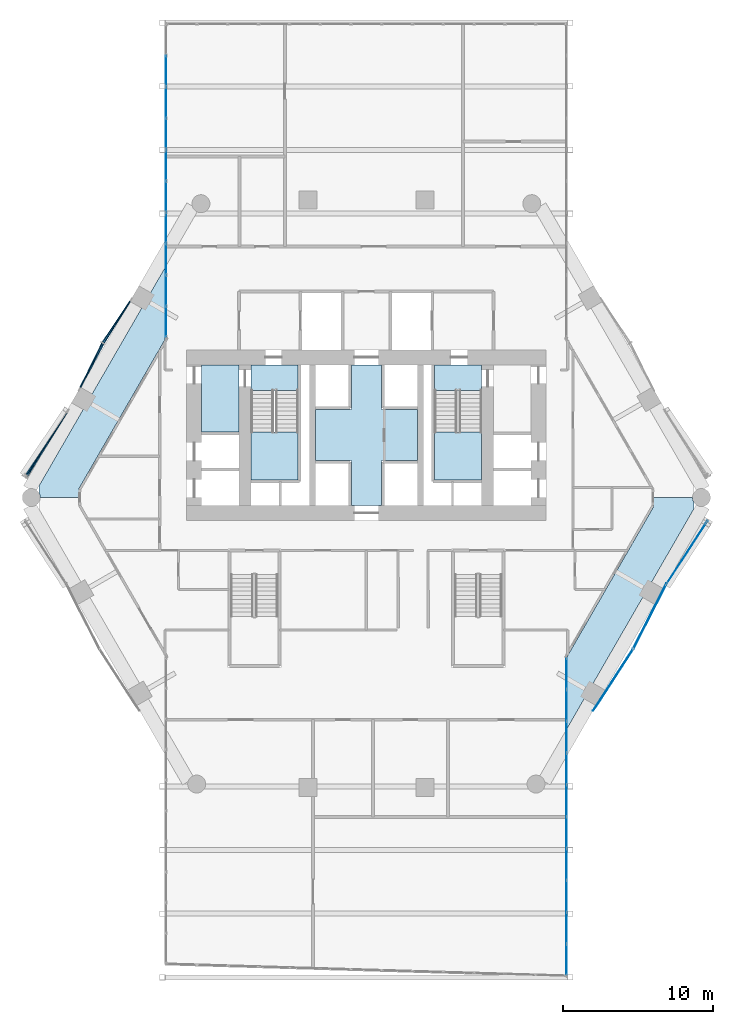
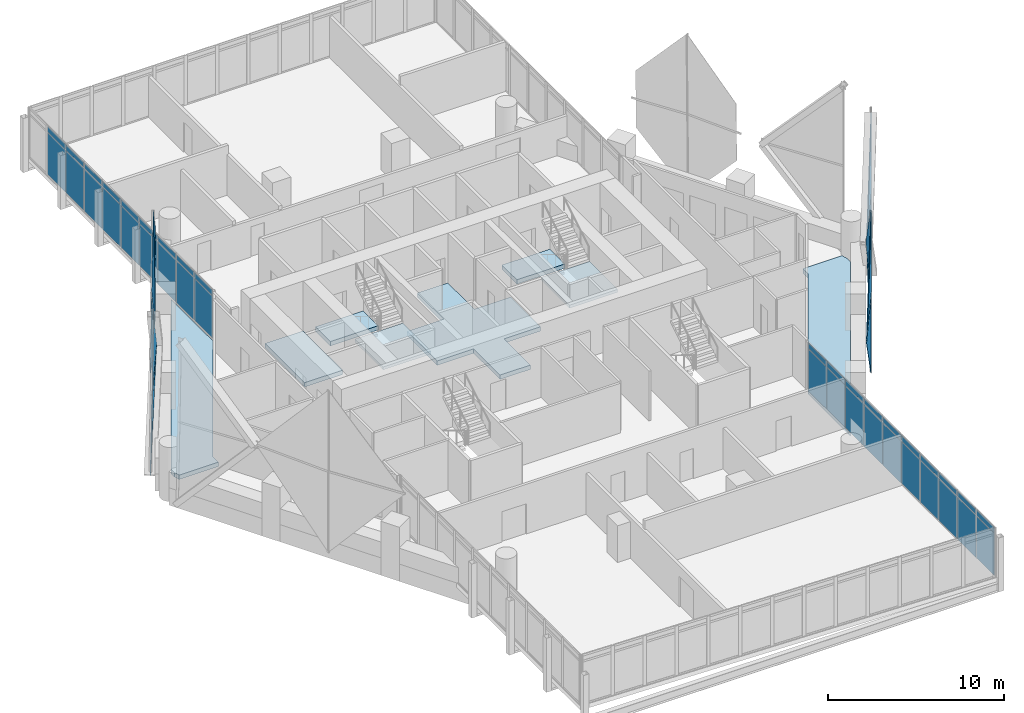
# One storey, part 27 of 38: 50 plates, 8 slabs, 12 elements without a shape of their own.
"""IFC4 building model written with IfcOpenShell, lengths in metres."""

from ifc_helpers import new_model, si_unit, direction, frame, origin, origin_2d, place, context, subcontext, project, spatial, polyline, rectangle, outline, extrude, material, layer, layer_set, type_object, element, aggregate, save


model = new_model("IFC4")

# Units and contexts
model_context = context("Model", 3, precision=1e-05, world=origin(), true_north=direction((0.0, 1.0)))
body_context = subcontext(model_context, "Body", "Model", "MODEL_VIEW")
ifc_project = project(units=[si_unit("LENGTHUNIT", "METRE"), si_unit("AREAUNIT", "SQUARE_METRE"), si_unit("VOLUMEUNIT", "CUBIC_METRE"), si_unit("PLANEANGLEUNIT", "RADIAN"), si_unit("MASSUNIT", "GRAM", prefix="KILO")], contexts=[model_context])

# Site, building, storey
site_placement = place(None, origin())
site = spatial("IfcSite", under=ifc_project, at=site_placement, CompositionType="ELEMENT")
building_placement = place(site_placement, origin())
building = spatial("IfcBuilding", under=site, at=building_placement, Name="Ostrander Bayou Hotel Tower", CompositionType="ELEMENT")
storey_placement = place(building_placement, frame((0.0, 0.0, 96.75)))
storey = spatial("IfcBuildingStorey", under=building, at=storey_placement, Name="L24", CompositionType="ELEMENT", Elevation=96.75)

# Curtain wall, plates
ifc_material_1 = material(Name="Aluminium and clear glass", Category="aluminium")
curtain_wall_type_1 = type_object("IfcCurtainWallType", Name="CW-BAR glazed wall", PredefinedType="NOTDEFINED", material=ifc_material_1)
curtain_wall_1_placement = place(storey_placement, origin())
curtain_wall_1 = element("IfcCurtainWall", 1, at=curtain_wall_1_placement, inside=storey, type_object=curtain_wall_type_1, Name="CW-BAR L24:SB2S:W", PredefinedType="NOTDEFINED")
ifc_material_2 = material(Name="Clear laminated glass", Category="glass")
ifc_layer_1 = layer(ifc_material_2, 0.028076171875)
ifc_layer_set_1 = layer_set([ifc_layer_1], Name="CW-BR glazing panel 28 mm")
plate_type_1 = type_object("IfcPlateType", Name="CW-BR glazing panel 28 mm", PredefinedType="CURTAIN_PANEL", material=ifc_layer_set_1)
plate_1_placement = place(storey_placement, frame((13.3671875, -11.9248046875, 0.06005859375), z_axis=(0.0, 0.0, 1.0), x_axis=(0.0, -1.0, 0.0)))
plate_1 = element("IfcPlate", 2, at=plate_1_placement, type_object=plate_type_1, Name="CW-BAR panel 1.1", PredefinedType="CURTAIN_PANEL", context=body_context, shape_type="SweptSolid", body=[
    extrude(rectangle(XDim=2.03515625, YDim=0.028076171875, at=origin_2d()), origin(), (0.0, 0.0, 1.0), 2.909912109375),
])
plate_2_placement = place(storey_placement, frame((13.3671875, -11.9248046875, 3.02978515625), z_axis=(0.0, 0.0, 1.0), x_axis=(0.0, -1.0, 0.0)))
plate_2 = element("IfcPlate", 3, at=plate_2_placement, type_object=plate_type_1, Name="CW-BAR panel 1.2", PredefinedType="CURTAIN_PANEL", context=body_context, shape_type="SweptSolid", body=[
    extrude(rectangle(XDim=2.03515625, YDim=0.028076171875, at=origin_2d()), origin(), (0.0, 0.0, 1.0), 0.360107421875),
])
plate_3_placement = place(storey_placement, frame((13.3671875, -14.034912109375, 0.06005859375), z_axis=(0.0, 0.0, 1.0), x_axis=(0.0, -1.0, 0.0)))
plate_3 = element("IfcPlate", 4, at=plate_3_placement, type_object=plate_type_1, Name="CW-BAR panel 2.1", PredefinedType="CURTAIN_PANEL", context=body_context, shape_type="SweptSolid", body=[
    extrude(rectangle(XDim=2.06494140625, YDim=0.028076171875, at=origin_2d()), origin(), (0.0, 0.0, 1.0), 2.909912109375),
])
plate_4_placement = place(storey_placement, frame((13.3671875, -14.034912109375, 3.02978515625), z_axis=(0.0, 0.0, 1.0), x_axis=(0.0, -1.0, 0.0)))
plate_4 = element("IfcPlate", 5, at=plate_4_placement, type_object=plate_type_1, Name="CW-BAR panel 2.2", PredefinedType="CURTAIN_PANEL", context=body_context, shape_type="SweptSolid", body=[
    extrude(rectangle(XDim=2.06494140625, YDim=0.028076171875, at=origin_2d()), origin(), (0.0, 0.0, 1.0), 0.360107421875),
])
plate_5_placement = place(storey_placement, frame((13.3671875, -16.159912109375, 0.06005859375), z_axis=(0.0, 0.0, 1.0), x_axis=(0.0, -1.0, 0.0)))
plate_5 = element("IfcPlate", 6, at=plate_5_placement, type_object=plate_type_1, Name="CW-BAR panel 3.1", PredefinedType="CURTAIN_PANEL", context=body_context, shape_type="SweptSolid", body=[
    extrude(rectangle(XDim=2.06494140625, YDim=0.028076171875, at=origin_2d()), origin(), (0.0, 0.0, 1.0), 2.909912109375),
])
plate_6_placement = place(storey_placement, frame((13.3671875, -16.159912109375, 3.02978515625), z_axis=(0.0, 0.0, 1.0), x_axis=(0.0, -1.0, 0.0)))
plate_6 = element("IfcPlate", 7, at=plate_6_placement, type_object=plate_type_1, Name="CW-BAR panel 3.2", PredefinedType="CURTAIN_PANEL", context=body_context, shape_type="SweptSolid", body=[
    extrude(rectangle(XDim=2.06494140625, YDim=0.028076171875, at=origin_2d()), origin(), (0.0, 0.0, 1.0), 0.360107421875),
])
plate_7_placement = place(storey_placement, frame((13.3671875, -18.284912109375, 0.06005859375), z_axis=(0.0, 0.0, 1.0), x_axis=(0.0, -1.0, 0.0)))
plate_7 = element("IfcPlate", 8, at=plate_7_placement, type_object=plate_type_1, Name="CW-BAR panel 4.1", PredefinedType="CURTAIN_PANEL", context=body_context, shape_type="SweptSolid", body=[
    extrude(rectangle(XDim=2.06494140625, YDim=0.028076171875, at=origin_2d()), origin(), (0.0, 0.0, 1.0), 2.909912109375),
])
plate_8_placement = place(storey_placement, frame((13.3671875, -18.284912109375, 3.02978515625), z_axis=(0.0, 0.0, 1.0), x_axis=(0.0, -1.0, 0.0)))
plate_8 = element("IfcPlate", 9, at=plate_8_placement, type_object=plate_type_1, Name="CW-BAR panel 4.2", PredefinedType="CURTAIN_PANEL", context=body_context, shape_type="SweptSolid", body=[
    extrude(rectangle(XDim=2.06494140625, YDim=0.028076171875, at=origin_2d()), origin(), (0.0, 0.0, 1.0), 0.360107421875),
])
plate_9_placement = place(storey_placement, frame((13.3671875, -20.409912109375, 0.06005859375), z_axis=(0.0, 0.0, 1.0), x_axis=(0.0, -1.0, 0.0)))
plate_9 = element("IfcPlate", 10, at=plate_9_placement, type_object=plate_type_1, Name="CW-BAR panel 5.1", PredefinedType="CURTAIN_PANEL", context=body_context, shape_type="SweptSolid", body=[
    extrude(rectangle(XDim=2.06494140625, YDim=0.028076171875, at=origin_2d()), origin(), (0.0, 0.0, 1.0), 2.909912109375),
])
plate_10_placement = place(storey_placement, frame((13.3671875, -20.409912109375, 3.02978515625), z_axis=(0.0, 0.0, 1.0), x_axis=(0.0, -1.0, 0.0)))
plate_10 = element("IfcPlate", 11, at=plate_10_placement, type_object=plate_type_1, Name="CW-BAR panel 5.2", PredefinedType="CURTAIN_PANEL", context=body_context, shape_type="SweptSolid", body=[
    extrude(rectangle(XDim=2.06494140625, YDim=0.028076171875, at=origin_2d()), origin(), (0.0, 0.0, 1.0), 0.360107421875),
])
plate_11_placement = place(storey_placement, frame((13.3671875, -22.53515625, 0.06005859375), z_axis=(0.0, 0.0, 1.0), x_axis=(0.0, -1.0, 0.0)))
plate_11 = element("IfcPlate", 12, at=plate_11_placement, type_object=plate_type_1, Name="CW-BAR panel 6.1", PredefinedType="CURTAIN_PANEL", context=body_context, shape_type="SweptSolid", body=[
    extrude(rectangle(XDim=2.06494140625, YDim=0.028076171875, at=origin_2d()), origin(), (0.0, 0.0, 1.0), 2.909912109375),
])
plate_12_placement = place(storey_placement, frame((13.3671875, -22.53515625, 3.02978515625), z_axis=(0.0, 0.0, 1.0), x_axis=(0.0, -1.0, 0.0)))
plate_12 = element("IfcPlate", 13, at=plate_12_placement, type_object=plate_type_1, Name="CW-BAR panel 6.2", PredefinedType="CURTAIN_PANEL", context=body_context, shape_type="SweptSolid", body=[
    extrude(rectangle(XDim=2.06494140625, YDim=0.028076171875, at=origin_2d()), origin(), (0.0, 0.0, 1.0), 0.360107421875),
])
plate_13_placement = place(storey_placement, frame((13.3671875, -24.66015625, 0.06005859375), z_axis=(0.0, 0.0, 1.0), x_axis=(0.0, -1.0, 0.0)))
plate_13 = element("IfcPlate", 14, at=plate_13_placement, type_object=plate_type_1, Name="CW-BAR panel 7.1", PredefinedType="CURTAIN_PANEL", context=body_context, shape_type="SweptSolid", body=[
    extrude(rectangle(XDim=2.06494140625, YDim=0.028076171875, at=origin_2d()), origin(), (0.0, 0.0, 1.0), 2.909912109375),
])
plate_14_placement = place(storey_placement, frame((13.3671875, -24.66015625, 3.02978515625), z_axis=(0.0, 0.0, 1.0), x_axis=(0.0, -1.0, 0.0)))
plate_14 = element("IfcPlate", 15, at=plate_14_placement, type_object=plate_type_1, Name="CW-BAR panel 7.2", PredefinedType="CURTAIN_PANEL", context=body_context, shape_type="SweptSolid", body=[
    extrude(rectangle(XDim=2.06494140625, YDim=0.028076171875, at=origin_2d()), origin(), (0.0, 0.0, 1.0), 0.360107421875),
])
plate_15_placement = place(storey_placement, frame((13.3671875, -26.78515625, 0.06005859375), z_axis=(0.0, 0.0, 1.0), x_axis=(0.0, -1.0, 0.0)))
plate_15 = element("IfcPlate", 16, at=plate_15_placement, type_object=plate_type_1, Name="CW-BAR panel 8.1", PredefinedType="CURTAIN_PANEL", context=body_context, shape_type="SweptSolid", body=[
    extrude(rectangle(XDim=2.06494140625, YDim=0.028076171875, at=origin_2d()), origin(), (0.0, 0.0, 1.0), 2.909912109375),
])
plate_16_placement = place(storey_placement, frame((13.3671875, -26.78515625, 3.02978515625), z_axis=(0.0, 0.0, 1.0), x_axis=(0.0, -1.0, 0.0)))
plate_16 = element("IfcPlate", 17, at=plate_16_placement, type_object=plate_type_1, Name="CW-BAR panel 8.2", PredefinedType="CURTAIN_PANEL", context=body_context, shape_type="SweptSolid", body=[
    extrude(rectangle(XDim=2.06494140625, YDim=0.028076171875, at=origin_2d()), origin(), (0.0, 0.0, 1.0), 0.360107421875),
])
plate_17_placement = place(storey_placement, frame((13.3671875, -28.91015625, 0.06005859375), z_axis=(0.0, 0.0, 1.0), x_axis=(0.0, -1.0, 0.0)))
plate_17 = element("IfcPlate", 18, at=plate_17_placement, type_object=plate_type_1, Name="CW-BAR panel 9.1", PredefinedType="CURTAIN_PANEL", context=body_context, shape_type="SweptSolid", body=[
    extrude(rectangle(XDim=2.06494140625, YDim=0.028076171875, at=origin_2d()), origin(), (0.0, 0.0, 1.0), 2.909912109375),
])
plate_18_placement = place(storey_placement, frame((13.3671875, -28.91015625, 3.02978515625), z_axis=(0.0, 0.0, 1.0), x_axis=(0.0, -1.0, 0.0)))
plate_18 = element("IfcPlate", 19, at=plate_18_placement, type_object=plate_type_1, Name="CW-BAR panel 9.2", PredefinedType="CURTAIN_PANEL", context=body_context, shape_type="SweptSolid", body=[
    extrude(rectangle(XDim=2.06494140625, YDim=0.028076171875, at=origin_2d()), origin(), (0.0, 0.0, 1.0), 0.360107421875),
])
plate_19_placement = place(storey_placement, frame((13.3671875, -31.020263671875, 0.06005859375), z_axis=(0.0, 0.0, 1.0), x_axis=(0.0, -1.0, 0.0)))
plate_19 = element("IfcPlate", 20, at=plate_19_placement, type_object=plate_type_1, Name="CW-BAR panel 10.1", PredefinedType="CURTAIN_PANEL", context=body_context, shape_type="SweptSolid", body=[
    extrude(rectangle(XDim=2.03515625, YDim=0.028076171875, at=origin_2d()), origin(), (0.0, 0.0, 1.0), 2.909912109375),
])
plate_20_placement = place(storey_placement, frame((13.3671875, -31.020263671875, 3.02978515625), z_axis=(0.0, 0.0, 1.0), x_axis=(0.0, -1.0, 0.0)))
plate_20 = element("IfcPlate", 21, at=plate_20_placement, type_object=plate_type_1, Name="CW-BAR panel 10.2", PredefinedType="CURTAIN_PANEL", context=body_context, shape_type="SweptSolid", body=[
    extrude(rectangle(XDim=2.03515625, YDim=0.028076171875, at=origin_2d()), origin(), (0.0, 0.0, 1.0), 0.360107421875),
])
aggregate(curtain_wall_1, [plate_1, plate_2, plate_3, plate_4, plate_5, plate_6, plate_7, plate_8, plate_9, plate_10, plate_11, plate_12, plate_13, plate_14, plate_15, plate_16, plate_17, plate_18, plate_19, plate_20])

curtain_wall_2_placement = place(storey_placement, origin())
curtain_wall_2 = element("IfcCurtainWall", 22, at=curtain_wall_2_placement, inside=storey, type_object=curtain_wall_type_1, Name="CW-BAR L24:SB2N:E", PredefinedType="NOTDEFINED")
plate_21_placement = place(storey_placement, frame((-13.3671875, 11.581298828125, 0.06005859375), z_axis=(0.0, 0.0, 1.0), x_axis=(0.0, 1.0, 0.0)))
plate_21 = element("IfcPlate", 23, at=plate_21_placement, type_object=plate_type_1, Name="CW-BAR panel 1.1", PredefinedType="CURTAIN_PANEL", context=body_context, shape_type="SweptSolid", body=[
    extrude(rectangle(XDim=2.00244140625, YDim=0.028076171875, at=origin_2d()), origin(), (0.0, 0.0, 1.0), 2.909912109375),
])
plate_22_placement = place(storey_placement, frame((-13.3671875, 11.581298828125, 3.02978515625), z_axis=(0.0, 0.0, 1.0), x_axis=(0.0, 1.0, 0.0)))
plate_22 = element("IfcPlate", 24, at=plate_22_placement, type_object=plate_type_1, Name="CW-BAR panel 1.2", PredefinedType="CURTAIN_PANEL", context=body_context, shape_type="SweptSolid", body=[
    extrude(rectangle(XDim=2.00244140625, YDim=0.028076171875, at=origin_2d()), origin(), (0.0, 0.0, 1.0), 0.360107421875),
])
plate_23_placement = place(storey_placement, frame((-13.3671875, 13.65869140625, 0.06005859375), z_axis=(0.0, 0.0, 1.0), x_axis=(0.0, 1.0, 0.0)))
plate_23 = element("IfcPlate", 25, at=plate_23_placement, type_object=plate_type_1, Name="CW-BAR panel 2.1", PredefinedType="CURTAIN_PANEL", context=body_context, shape_type="SweptSolid", body=[
    extrude(rectangle(XDim=2.032470703125, YDim=0.028076171875, at=origin_2d()), origin(), (0.0, 0.0, 1.0), 2.909912109375),
])
plate_24_placement = place(storey_placement, frame((-13.3671875, 13.65869140625, 3.02978515625), z_axis=(0.0, 0.0, 1.0), x_axis=(0.0, 1.0, 0.0)))
plate_24 = element("IfcPlate", 26, at=plate_24_placement, type_object=plate_type_1, Name="CW-BAR panel 2.2", PredefinedType="CURTAIN_PANEL", context=body_context, shape_type="SweptSolid", body=[
    extrude(rectangle(XDim=2.032470703125, YDim=0.028076171875, at=origin_2d()), origin(), (0.0, 0.0, 1.0), 0.360107421875),
])
plate_25_placement = place(storey_placement, frame((-13.3671875, 15.75146484375, 0.06005859375), z_axis=(0.0, 0.0, 1.0), x_axis=(0.0, 1.0, 0.0)))
plate_25 = element("IfcPlate", 27, at=plate_25_placement, type_object=plate_type_1, Name="CW-BAR panel 3.1", PredefinedType="CURTAIN_PANEL", context=body_context, shape_type="SweptSolid", body=[
    extrude(rectangle(XDim=2.032470703125, YDim=0.028076171875, at=origin_2d()), origin(), (0.0, 0.0, 1.0), 2.909912109375),
])
plate_26_placement = place(storey_placement, frame((-13.3671875, 15.75146484375, 3.02978515625), z_axis=(0.0, 0.0, 1.0), x_axis=(0.0, 1.0, 0.0)))
plate_26 = element("IfcPlate", 28, at=plate_26_placement, type_object=plate_type_1, Name="CW-BAR panel 3.2", PredefinedType="CURTAIN_PANEL", context=body_context, shape_type="SweptSolid", body=[
    extrude(rectangle(XDim=2.032470703125, YDim=0.028076171875, at=origin_2d()), origin(), (0.0, 0.0, 1.0), 0.360107421875),
])
plate_27_placement = place(storey_placement, frame((-13.3671875, 17.843994140625, 0.06005859375), z_axis=(0.0, 0.0, 1.0), x_axis=(0.0, 1.0, 0.0)))
plate_27 = element("IfcPlate", 29, at=plate_27_placement, type_object=plate_type_1, Name="CW-BAR panel 4.1", PredefinedType="CURTAIN_PANEL", context=body_context, shape_type="SweptSolid", body=[
    extrude(rectangle(XDim=2.032470703125, YDim=0.028076171875, at=origin_2d()), origin(), (0.0, 0.0, 1.0), 2.909912109375),
])
plate_28_placement = place(storey_placement, frame((-13.3671875, 17.843994140625, 3.02978515625), z_axis=(0.0, 0.0, 1.0), x_axis=(0.0, 1.0, 0.0)))
plate_28 = element("IfcPlate", 30, at=plate_28_placement, type_object=plate_type_1, Name="CW-BAR panel 4.2", PredefinedType="CURTAIN_PANEL", context=body_context, shape_type="SweptSolid", body=[
    extrude(rectangle(XDim=2.032470703125, YDim=0.028076171875, at=origin_2d()), origin(), (0.0, 0.0, 1.0), 0.360107421875),
])
plate_29_placement = place(storey_placement, frame((-13.3671875, 19.9365234375, 0.06005859375), z_axis=(0.0, 0.0, 1.0), x_axis=(0.0, 1.0, 0.0)))
plate_29 = element("IfcPlate", 31, at=plate_29_placement, type_object=plate_type_1, Name="CW-BAR panel 5.1", PredefinedType="CURTAIN_PANEL", context=body_context, shape_type="SweptSolid", body=[
    extrude(rectangle(XDim=2.032470703125, YDim=0.028076171875, at=origin_2d()), origin(), (0.0, 0.0, 1.0), 2.909912109375),
])
plate_30_placement = place(storey_placement, frame((-13.3671875, 19.9365234375, 3.02978515625), z_axis=(0.0, 0.0, 1.0), x_axis=(0.0, 1.0, 0.0)))
plate_30 = element("IfcPlate", 32, at=plate_30_placement, type_object=plate_type_1, Name="CW-BAR panel 5.2", PredefinedType="CURTAIN_PANEL", context=body_context, shape_type="SweptSolid", body=[
    extrude(rectangle(XDim=2.032470703125, YDim=0.028076171875, at=origin_2d()), origin(), (0.0, 0.0, 1.0), 0.360107421875),
])
plate_31_placement = place(storey_placement, frame((-13.3671875, 22.029052734375, 0.06005859375), z_axis=(0.0, 0.0, 1.0), x_axis=(0.0, 1.0, 0.0)))
plate_31 = element("IfcPlate", 33, at=plate_31_placement, type_object=plate_type_1, Name="CW-BAR panel 6.1", PredefinedType="CURTAIN_PANEL", context=body_context, shape_type="SweptSolid", body=[
    extrude(rectangle(XDim=2.032470703125, YDim=0.028076171875, at=origin_2d()), origin(), (0.0, 0.0, 1.0), 2.909912109375),
])
plate_32_placement = place(storey_placement, frame((-13.3671875, 22.029052734375, 3.02978515625), z_axis=(0.0, 0.0, 1.0), x_axis=(0.0, 1.0, 0.0)))
plate_32 = element("IfcPlate", 34, at=plate_32_placement, type_object=plate_type_1, Name="CW-BAR panel 6.2", PredefinedType="CURTAIN_PANEL", context=body_context, shape_type="SweptSolid", body=[
    extrude(rectangle(XDim=2.032470703125, YDim=0.028076171875, at=origin_2d()), origin(), (0.0, 0.0, 1.0), 0.360107421875),
])
plate_33_placement = place(storey_placement, frame((-13.3671875, 24.12158203125, 0.06005859375), z_axis=(0.0, 0.0, 1.0), x_axis=(0.0, 1.0, 0.0)))
plate_33 = element("IfcPlate", 35, at=plate_33_placement, type_object=plate_type_1, Name="CW-BAR panel 7.1", PredefinedType="CURTAIN_PANEL", context=body_context, shape_type="SweptSolid", body=[
    extrude(rectangle(XDim=2.032470703125, YDim=0.028076171875, at=origin_2d()), origin(), (0.0, 0.0, 1.0), 2.909912109375),
])
plate_34_placement = place(storey_placement, frame((-13.3671875, 24.12158203125, 3.02978515625), z_axis=(0.0, 0.0, 1.0), x_axis=(0.0, 1.0, 0.0)))
plate_34 = element("IfcPlate", 36, at=plate_34_placement, type_object=plate_type_1, Name="CW-BAR panel 7.2", PredefinedType="CURTAIN_PANEL", context=body_context, shape_type="SweptSolid", body=[
    extrude(rectangle(XDim=2.032470703125, YDim=0.028076171875, at=origin_2d()), origin(), (0.0, 0.0, 1.0), 0.360107421875),
])
plate_35_placement = place(storey_placement, frame((-13.3671875, 26.214111328125, 0.06005859375), z_axis=(0.0, 0.0, 1.0), x_axis=(0.0, 1.0, 0.0)))
plate_35 = element("IfcPlate", 37, at=plate_35_placement, type_object=plate_type_1, Name="CW-BAR panel 8.1", PredefinedType="CURTAIN_PANEL", context=body_context, shape_type="SweptSolid", body=[
    extrude(rectangle(XDim=2.032470703125, YDim=0.028076171875, at=origin_2d()), origin(), (0.0, 0.0, 1.0), 2.909912109375),
])
plate_36_placement = place(storey_placement, frame((-13.3671875, 26.214111328125, 3.02978515625), z_axis=(0.0, 0.0, 1.0), x_axis=(0.0, 1.0, 0.0)))
plate_36 = element("IfcPlate", 38, at=plate_36_placement, type_object=plate_type_1, Name="CW-BAR panel 8.2", PredefinedType="CURTAIN_PANEL", context=body_context, shape_type="SweptSolid", body=[
    extrude(rectangle(XDim=2.032470703125, YDim=0.028076171875, at=origin_2d()), origin(), (0.0, 0.0, 1.0), 0.360107421875),
])
plate_37_placement = place(storey_placement, frame((-13.3671875, 28.306640625, 0.06005859375), z_axis=(0.0, 0.0, 1.0), x_axis=(0.0, 1.0, 0.0)))
plate_37 = element("IfcPlate", 39, at=plate_37_placement, type_object=plate_type_1, Name="CW-BAR panel 9.1", PredefinedType="CURTAIN_PANEL", context=body_context, shape_type="SweptSolid", body=[
    extrude(rectangle(XDim=2.032470703125, YDim=0.028076171875, at=origin_2d()), origin(), (0.0, 0.0, 1.0), 2.909912109375),
])
plate_38_placement = place(storey_placement, frame((-13.3671875, 28.306640625, 3.02978515625), z_axis=(0.0, 0.0, 1.0), x_axis=(0.0, 1.0, 0.0)))
plate_38 = element("IfcPlate", 40, at=plate_38_placement, type_object=plate_type_1, Name="CW-BAR panel 9.2", PredefinedType="CURTAIN_PANEL", context=body_context, shape_type="SweptSolid", body=[
    extrude(rectangle(XDim=2.032470703125, YDim=0.028076171875, at=origin_2d()), origin(), (0.0, 0.0, 1.0), 0.360107421875),
])
aggregate(curtain_wall_2, [plate_21, plate_22, plate_23, plate_24, plate_25, plate_26, plate_27, plate_28, plate_29, plate_30, plate_31, plate_32, plate_33, plate_34, plate_35, plate_36, plate_37, plate_38])

# Curtain wall, plate
ifc_material_3 = material(Name="Aluminium and clear glass", Category="aluminium")
curtain_wall_type_2 = type_object("IfcCurtainWallType", Name="CW-LAT lattice glazing", PredefinedType="NOTDEFINED", material=ifc_material_3)
curtain_wall_3_placement = place(storey_placement, origin())
curtain_wall_3 = element("IfcCurtainWall", 41, at=curtain_wall_3_placement, inside=storey, type_object=curtain_wall_type_2, Name="CW-LAT L24 NW 1", PredefinedType="NOTDEFINED")
ifc_material_4 = material(Name="Clear laminated glass", Category="glass")
ifc_layer_2 = layer(ifc_material_4, 0.028076171875)
ifc_layer_set_2 = layer_set([ifc_layer_2], Name="CW-LA glazing panel 28 mm")
plate_type_2 = type_object("IfcPlateType", Name="CW-LA glazing panel 28 mm", PredefinedType="CURTAIN_PANEL", material=ifc_layer_set_2)
plate_39_placement = place(storey_placement, frame((-15.8251953125, 12.951904296875, 3.034912109375), z_axis=(-0.838690089472, 0.544415918243, 0.014499716702), x_axis=(-0.375634227674, -0.558988757188, -0.739209372463)))
plate_39 = element("IfcPlate", 42, at=plate_39_placement, type_object=plate_type_2, Name="CW-LAT panel 1", PredefinedType="CURTAIN_PANEL", context=body_context, shape_type="SweptSolid", body=[
    extrude(outline(polyline([(0.0, 0.0), (4.917429524014427, 0.0), (0.7555724085060826, 3.7850026967508663), (-1.4709996316609895, 1.3405421653783123), (0.0, 0.0)])), origin(), (0.0, 0.0, -1.0), 0.028076171875),
])

curtain_wall_4_placement = place(storey_placement, origin())
curtain_wall_4 = element("IfcCurtainWall", 43, at=curtain_wall_4_placement, inside=storey, type_object=curtain_wall_type_2, Name="CW-LAT L24 NW 2", PredefinedType="NOTDEFINED")
plate_40_placement = place(storey_placement, frame((-15.77734375, 12.919677734375, 7.01953125), z_axis=(-0.838706517312, 0.544390593329, 0.014500334921), x_axis=(-0.357309302733, -0.570186450826, 0.739741490979)))
plate_40 = element("IfcPlate", 44, at=plate_40_placement, type_object=plate_type_2, Name="CW-LAT panel 2", PredefinedType="CURTAIN_PANEL", context=body_context, shape_type="SweptSolid", body=[
    extrude(outline(polyline([(0.0, 0.0), (4.907624141221785, 0.0), (0.7484894786019534, -3.7879966828426745), (-1.4757827864200777, -1.3421765702081985), (0.0, 0.0)])), origin(), (0.0, 0.0, -1.0), 0.028076171875),
])

curtain_wall_5_placement = place(storey_placement, origin())
curtain_wall_5 = element("IfcCurtainWall", 45, at=curtain_wall_5_placement, inside=storey, type_object=curtain_wall_type_2, Name="CW-LAT L24 NW 3", PredefinedType="NOTDEFINED")
plate_41_placement = place(storey_placement, frame((-19.129150390625, 7.229736328125, 3.0341796875), z_axis=(-0.890796597862, 0.454170939639, 0.014497545484), x_axis=(0.296317028677, 0.604783195195, -0.739211407735)))
plate_41 = element("IfcPlate", 46, at=plate_41_placement, type_object=plate_type_2, Name="CW-LAT panel 3", PredefinedType="CURTAIN_PANEL", context=body_context, shape_type="SweptSolid", body=[
    extrude(outline(polyline([(0.0, 0.0), (4.916425600571481, 4.440892098500626e-16), (0.7546830005986036, -3.7851286100632153), (-1.4719420955073856, -1.3405946846521315), (0.0, 0.0)])), origin(), (0.0, 0.0, -1.0), 0.028076171875),
])
aggregate(curtain_wall_5, [plate_41])

curtain_wall_6_placement = place(storey_placement, origin())
curtain_wall_6 = element("IfcCurtainWall", 47, at=curtain_wall_6_placement, inside=storey, type_object=curtain_wall_type_2, Name="CW-LAT L24 NW 4", PredefinedType="NOTDEFINED")
plate_42_placement = place(storey_placement, frame((-19.077392578125, 7.20361328125, 7.019287109375), z_axis=(-0.890817144002, 0.454129932645, 0.01451964968), x_axis=(0.315132630377, 0.594509240655, 0.739763602814)))
plate_42 = element("IfcPlate", 48, at=plate_42_placement, type_object=plate_type_2, Name="CW-LAT panel 4", PredefinedType="CURTAIN_PANEL", context=body_context, shape_type="SweptSolid", body=[
    extrude(outline(polyline([(0.0, 0.0), (4.907805099107554, 8.881784197001252e-16), (0.7487073649258156, 3.788037231742951), (-1.4754686985691385, 1.3421624929886806), (0.0, 0.0)])), origin(), (0.0, 0.0, -1.0), 0.028076171875),
])
aggregate(curtain_wall_6, [plate_42])

# Plate
plate_43_placement = place(storey_placement, frame((-19.927001953125, 5.600830078125, 5.02490234375), z_axis=(-0.838715078053, 0.544363844998, 0.015000736852), x_axis=(-0.374104135202, -0.555937044183, -0.742280337157)))
plate_43 = element("IfcPlate", 49, at=plate_43_placement, type_object=plate_type_2, Name="CW-LAT panel 5", PredefinedType="CURTAIN_PANEL", context=body_context, shape_type="SweptSolid", body=[
    extrude(outline(polyline([(0.0, 0.0), (7.577999467891494, 4.440892098500626e-16), (3.4305579826681587, 3.80109543855923), (0.0, 0.0)])), origin(), (0.0, 0.0, -1.0), 0.028076171875),
])

aggregate(curtain_wall_3, [plate_39, plate_43])

plate_44_placement = place(storey_placement, frame((-19.927001953125, 5.600830078125, 5.02490234375), z_axis=(-0.838715831794, 0.54436433421, 0.014940720811), x_axis=(-0.358895637818, -0.573177915293, 0.73665527798)))
plate_44 = element("IfcPlate", 50, at=plate_44_placement, type_object=plate_type_2, Name="CW-LAT panel 6", PredefinedType="CURTAIN_PANEL", context=body_context, shape_type="SweptSolid", body=[
    extrude(outline(polyline([(0.0, 0.0), (7.635864654936666, 8.881784197001252e-16), (3.4622110054778372, -3.772287046213763), (0.0, 0.0)])), origin(), (0.0, 0.0, -1.0), 0.028076171875),
])

aggregate(curtain_wall_4, [plate_40, plate_44])

# Curtain wall, plate
curtain_wall_7_placement = place(storey_placement, origin())
curtain_wall_7 = element("IfcCurtainWall", 51, at=curtain_wall_7_placement, inside=storey, type_object=curtain_wall_type_2, Name="CW-LAT L24 SE 1", PredefinedType="NOTDEFINED")
plate_45_placement = place(storey_placement, frame((15.139404296875, -14.3994140625, 5.02490234375), z_axis=(0.8384083798, -0.545042556761, 0.0), x_axis=(0.358318839011, 0.551181762856, -0.753529212377)))
plate_45 = element("IfcPlate", 52, at=plate_45_placement, type_object=plate_type_2, Name="CW-LAT panel 1", PredefinedType="CURTAIN_PANEL", context=body_context, shape_type="SweptSolid", body=[
    extrude(outline(polyline([(0.0, 0.0), (7.464873169621934, -4.440892098500626e-16), (3.226271350000868, 3.697956140181356), (0.0, 0.0)])), origin(), (0.0, 0.0, -1.0), 0.028076171875),
])

curtain_wall_8_placement = place(storey_placement, origin())
curtain_wall_8 = element("IfcCurtainWall", 53, at=curtain_wall_8_placement, inside=storey, type_object=curtain_wall_type_2, Name="CW-LAT L24 SE 2", PredefinedType="NOTDEFINED")
plate_46_placement = place(storey_placement, frame((15.139404296875, -14.3994140625, 5.02490234375), z_axis=(-0.8384083798, 0.545042556761, 0.0), x_axis=(0.358318839011, 0.551181762856, 0.753529212377)))
plate_46 = element("IfcPlate", 54, at=plate_46_placement, type_object=plate_type_2, Name="CW-LAT panel 2", PredefinedType="CURTAIN_PANEL", context=body_context, shape_type="SweptSolid", body=[
    extrude(outline(polyline([(0.0, 0.0), (7.464873169621934, -4.440892098500626e-16), (3.226271350000868, 3.697956140181356), (0.0, 0.0)])), origin(), (0.0, 0.0, -1.0), 0.028076171875),
])

curtain_wall_9_placement = place(storey_placement, origin())
curtain_wall_9 = element("IfcCurtainWall", 55, at=curtain_wall_9_placement, inside=storey, type_object=curtain_wall_type_2, Name="CW-LAT L24 SE 3", PredefinedType="NOTDEFINED")
plate_47_placement = place(storey_placement, frame((20.039794921875, -5.911376953125, 5.02490234375), z_axis=(-0.891240635363, 0.453530737522, 0.0), x_axis=(-0.298148285453, -0.585896049321, -0.753547224314)))
plate_47 = element("IfcPlate", 56, at=plate_47_placement, type_object=plate_type_2, Name="CW-LAT panel 3", PredefinedType="CURTAIN_PANEL", context=body_context, shape_type="SweptSolid", body=[
    extrude(outline(polyline([(0.0, 0.0), (7.464694737774109, 4.440892098500626e-16), (3.225991601008613, 3.6978400071358353), (0.0, 0.0)])), origin(), (0.0, 0.0, -1.0), 0.028076171875),
])
aggregate(curtain_wall_9, [plate_47])

curtain_wall_10_placement = place(storey_placement, origin())
curtain_wall_10 = element("IfcCurtainWall", 57, at=curtain_wall_10_placement, inside=storey, type_object=curtain_wall_type_2, Name="CW-LAT L24 SE 4", PredefinedType="NOTDEFINED")
plate_48_placement = place(storey_placement, frame((20.039794921875, -5.911376953125, 5.02490234375), z_axis=(0.891240635363, -0.453530737522, 0.0), x_axis=(-0.298148285453, -0.585896049321, 0.753547224314)))
plate_48 = element("IfcPlate", 58, at=plate_48_placement, type_object=plate_type_2, Name="CW-LAT panel 4", PredefinedType="CURTAIN_PANEL", context=body_context, shape_type="SweptSolid", body=[
    extrude(outline(polyline([(0.0, 0.0), (7.464694737774109, 4.440892098500626e-16), (3.225991601008613, 3.6978400071358353), (0.0, 0.0)])), origin(), (0.0, 0.0, -1.0), 0.028076171875),
])
aggregate(curtain_wall_10, [plate_48])

# Plate
plate_49_placement = place(storey_placement, frame((20.039794921875, -5.911376953125, 5.02490234375), z_axis=(-0.838393268418, 0.54506507529, 0.000889477918), x_axis=(0.361641212677, 0.557478848743, -0.747283725567)))
plate_49 = element("IfcPlate", 59, at=plate_49_placement, type_object=plate_type_2, Name="CW-LAT panel 5", PredefinedType="CURTAIN_PANEL", context=body_context, shape_type="SweptSolid", body=[
    extrude(outline(polyline([(0.0, 0.0), (7.527261477200431, 8.881784197001252e-16), (3.2609313196069523, -3.6671548089487196), (0.0, 0.0)])), origin(), (0.0, 0.0, -1.0), 0.028076171875),
])

aggregate(curtain_wall_7, [plate_45, plate_49])

plate_50_placement = place(storey_placement, frame((20.039794921875, -5.911376953125, 5.02490234375), z_axis=(-0.838393258856, 0.545065069073, 0.000902209166), x_axis=(0.354943020365, 0.544698863456, 0.759814846159)))
plate_50 = element("IfcPlate", 60, at=plate_50_placement, type_object=plate_type_2, Name="CW-LAT panel 6", PredefinedType="CURTAIN_PANEL", context=body_context, shape_type="SweptSolid", body=[
    extrude(outline(polyline([(0.0, 0.0), (7.4031193631345165, -4.440892098500626e-16), (3.190434809100009, 3.728648976891261), (0.0, 0.0)])), origin(), (0.0, 0.0, -1.0), 0.028076171875),
])

aggregate(curtain_wall_8, [plate_46, plate_50])

# Slabs
ifc_material_5 = material(Name="Concrete f'c 40 MPa", Category="concrete")
ifc_layer_3 = layer(ifc_material_5, 0.300048828125)
ifc_layer_set_3 = layer_set([ifc_layer_3], Name="SL1 floor slab 300 mm f'c 40 MPa")
slab_type_1 = type_object("IfcSlabType", Name="SL1 floor slab 300 mm f'c 40 MPa", PredefinedType="FLOOR", material=ifc_layer_set_3)
slab_1_placement = place(storey_placement, frame((0.0, 0.0, -0.300048828125)))
element("IfcSlab", 61, at=slab_1_placement, inside=storey, type_object=slab_type_1, Name="cslab:L24:001", PredefinedType="FLOOR", context=body_context, shape_type="SweptSolid", body=[
    extrude(outline(polyline([(-3.39990234375, 5.699951171875), (-1.0, 5.699951171875), (-1.0, 8.699951171875), (1.0, 8.699951171875), (1.0, 5.699951171875), (3.39990234375, 5.699951171875), (3.39990234375, 2.300048828125), (1.0, 2.300048828125), (1.0, -0.699951171875), (-1.0, -0.699951171875), (-1.0, 2.300048828125), (-3.39990234375, 2.300048828125), (-3.39990234375, 5.699951171875)])), origin(), (0.0, 0.0, 1.0), 0.300048828125),
])
slab_2_placement = place(storey_placement, frame((0.0, 0.0, -0.300048828125)))
element("IfcSlab", 62, at=slab_2_placement, inside=storey, type_object=slab_type_1, Name="cslab:L24:002", PredefinedType="FLOOR", context=body_context, shape_type="SweptSolid", body=[
    extrude(outline(polyline([(-8.5, 4.199951171875), (-8.5, 8.699951171875), (-11.0, 8.699951171875), (-11.0, 4.199951171875), (-8.5, 4.199951171875)])), origin(), (0.0, 0.0, 1.0), 0.300048828125),
])
slab_3_placement = place(storey_placement, frame((0.0, 0.0, -0.300048828125)))
element("IfcSlab", 63, at=slab_3_placement, inside=storey, type_object=slab_type_1, Name="cslab:L24:004", PredefinedType="FLOOR", context=body_context, shape_type="SweptSolid", body=[
    extrude(outline(polyline([(-4.550048828125, 7.0), (-4.550048828125, 8.699951171875), (-7.699951171875, 8.699951171875), (-7.699951171875, 7.0), (-4.550048828125, 7.0)])), origin(), (0.0, 0.0, 1.0), 0.300048828125),
])
slab_4_placement = place(storey_placement, frame((0.0, 0.0, -0.300048828125)))
element("IfcSlab", 64, at=slab_4_placement, inside=storey, type_object=slab_type_1, Name="cslab:L24:005", PredefinedType="FLOOR", context=body_context, shape_type="SweptSolid", body=[
    extrude(outline(polyline([(7.699951171875, 7.0), (7.699951171875, 8.699951171875), (4.550048828125, 8.699951171875), (4.550048828125, 7.0), (7.699951171875, 7.0)])), origin(), (0.0, 0.0, 1.0), 0.300048828125),
])
ifc_material_6 = material(Name="Concrete f'c 40 MPa", Category="concrete")
ifc_layer_4 = layer(ifc_material_6, 0.300048828125)
ifc_layer_set_4 = layer_set([ifc_layer_4], Name="SL4 loggia slab 300 mm f'c 40 MPa")
slab_type_2 = type_object("IfcSlabType", Name="SL4 loggia slab 300 mm f'c 40 MPa", PredefinedType="FLOOR", material=ifc_layer_set_4)
slab_5_placement = place(storey_placement, frame((0.0, 0.0, -0.300048828125)))
element("IfcSlab", 65, at=slab_5_placement, inside=storey, type_object=slab_type_2, Name="SL4 LOGGIA L24 NW 1", PredefinedType="FLOOR", context=body_context, shape_type="SweptSolid", body=[
    extrude(outline(polyline([(-19.18896484375, -0.163818359375), (-21.774658203125, -0.163818359375), (-21.7861328125, -0.046630859375), (-21.8203125, 0.06591796875), (-21.873779296875, 0.165771484375), (-21.873779296875, 0.586181640625), (-13.442138671875, 15.190185546875), (-13.442138671875, 10.39013671875), (-19.18896484375, 0.436279296875), (-19.18896484375, -0.163818359375)])), origin(), (0.0, 0.0, 1.0), 0.300048828125),
])
slab_6_placement = place(storey_placement, frame((0.0, 0.0, -0.300048828125)))
element("IfcSlab", 66, at=slab_6_placement, inside=storey, type_object=slab_type_2, Name="SL4 LOGGIA L24 SE 1", PredefinedType="FLOOR", context=body_context, shape_type="SweptSolid", body=[
    extrude(outline(polyline([(15.132568359375, -12.589599609375), (14.5625, -13.576904296875), (13.442138671875, -15.517333984375), (13.442138671875, -10.71728515625), (19.18896484375, -0.763671875), (19.18896484375, -0.163818359375), (21.774658203125, -0.163818359375), (21.7861328125, -0.28076171875), (21.8203125, -0.393310546875), (21.873779296875, -0.4931640625), (21.873779296875, -0.913818359375), (19.039306640625, -5.822998046875), (18.46923828125, -6.810302734375), (15.132568359375, -12.589599609375)])), origin(), (0.0, 0.0, 1.0), 0.300048828125),
])

# Stair, slab
ifc_material_7 = material(Name="Concrete f'c 45 MPa", Category="concrete")
stair_type = type_object("IfcStairType", Name="ST1 exit stair 1500 mm f'c 45 MPa", PredefinedType="HALF_TURN_STAIR", material=ifc_material_7)
stair_1_placement = place(storey_placement, origin())
stair_1 = element("IfcStair", 67, at=stair_1_placement, inside=storey, type_object=stair_type, Name="L24 exit stair A", PredefinedType="HALF_TURN_STAIR")
ifc_material_8 = material(Name="Concrete f'c 45 MPa", Category="concrete")
ifc_layer_5 = layer(ifc_material_8, 0.199951171875)
ifc_layer_set_5 = layer_set([ifc_layer_5], Name="SL8 stair landing 200 mm f'c 45 MPa")
slab_type_3 = type_object("IfcSlabType", Name="SL8 stair landing 200 mm f'c 45 MPa", PredefinedType="LANDING", material=ifc_layer_set_5)
slab_7_placement = place(storey_placement, frame((0.0, 0.0, 1.675048828125)))
slab_7 = element("IfcSlab", 68, at=slab_7_placement, type_object=slab_type_3, Name="STA landing 1", PredefinedType="LANDING", context=body_context, shape_type="SweptSolid", body=[
    extrude(outline(polyline([(-7.699951171875, 4.199951171875), (-7.699951171875, 1.0), (-4.550048828125, 1.0), (-4.550048828125, 4.199951171875), (-7.699951171875, 4.199951171875)])), origin(), (0.0, 0.0, 1.0), 0.199951171875),
])
aggregate(stair_1, [slab_7])

stair_2_placement = place(storey_placement, origin())
stair_2 = element("IfcStair", 69, at=stair_2_placement, inside=storey, type_object=stair_type, Name="L24 exit stair B", PredefinedType="HALF_TURN_STAIR")
slab_8_placement = place(storey_placement, frame((0.0, 0.0, 1.675048828125)))
slab_8 = element("IfcSlab", 70, at=slab_8_placement, type_object=slab_type_3, Name="STB landing 1", PredefinedType="LANDING", context=body_context, shape_type="SweptSolid", body=[
    extrude(outline(polyline([(4.550048828125, 4.199951171875), (4.550048828125, 1.0), (7.699951171875, 1.0), (7.699951171875, 4.199951171875), (4.550048828125, 4.199951171875)])), origin(), (0.0, 0.0, 1.0), 0.199951171875),
])
aggregate(stair_2, [slab_8])

save(model, "model.ifc")
